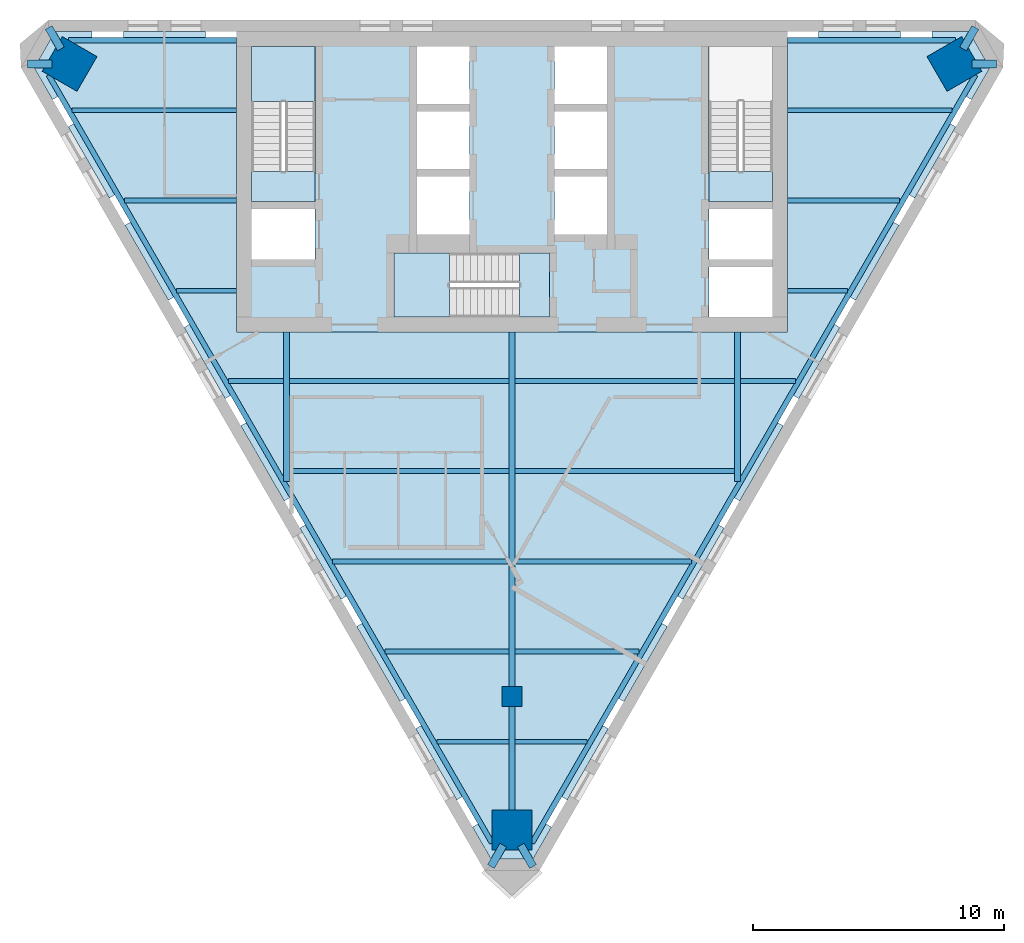
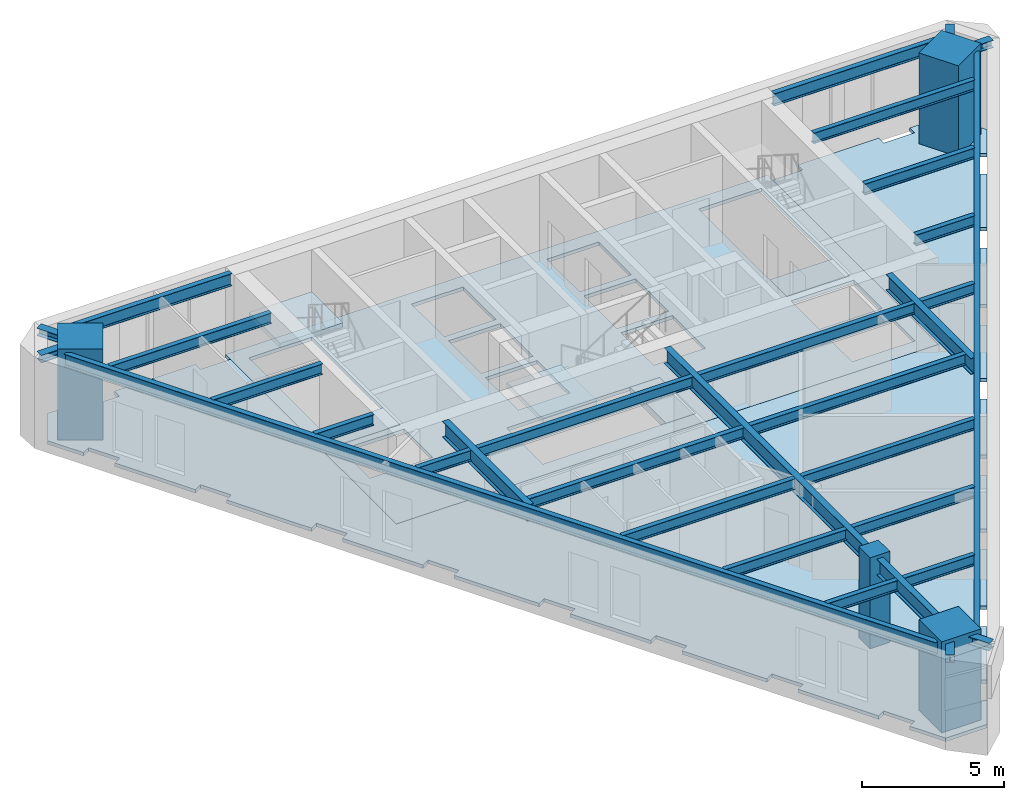
# One storey, part 1 of 6: 32 beams, 7 slabs, 4 columns, 2 elements without a shape of their own.
"""IFC4 building model written with IfcOpenShell, lengths in metres."""

from ifc_helpers import new_model, si_unit, direction, frame, origin, origin_2d, place, context, subcontext, project, spatial, polyline, rectangle, i_section, outline, extrude, material, layer, layer_set, material_profile, profile_set, type_object, element, aggregate, save


model = new_model("IFC4")

# Units and contexts
model_context = context("Model", 3, precision=1e-05, world=origin(), true_north=direction((0.0, 1.0)))
body_context = subcontext(model_context, "Body", "Model", "MODEL_VIEW")
ifc_project = project(units=[si_unit("LENGTHUNIT", "METRE"), si_unit("AREAUNIT", "SQUARE_METRE"), si_unit("VOLUMEUNIT", "CUBIC_METRE"), si_unit("PLANEANGLEUNIT", "RADIAN"), si_unit("MASSUNIT", "GRAM", prefix="KILO")], contexts=[model_context])

# Site, building, storey
site_placement = place(None, origin())
site = spatial("IfcSite", under=ifc_project, at=site_placement, CompositionType="ELEMENT")
building_placement = place(site_placement, origin())
building = spatial("IfcBuilding", under=site, at=building_placement, Name="Aloe Facet Convention Tower", CompositionType="ELEMENT")
storey_placement = place(building_placement, frame((0.0, 0.0, 266.0)))
storey = spatial("IfcBuildingStorey", under=building, at=storey_placement, Name="L65", CompositionType="ELEMENT", Elevation=266.0)

# Columns
ifc_material_1 = material(Name="Concrete C70/85", Category="concrete")
ifc_material_profile_1 = material_profile(ifc_material_1, rectangle(XDim=0.800048828125, YDim=0.800048828125, at=origin_2d()), Name="SF-GC-Z5")
ifc_profile_set_1 = profile_set([ifc_material_profile_1], Name="Concrete C70/85")
column_type_1 = type_object("IfcColumnType", Name="SF-GC-Z5", PredefinedType="COLUMN", material=ifc_profile_set_1)
column_placement = place(storey_placement, frame((80.0, 108.0, 0.0), z_axis=(0.0, 0.0, 1.0), x_axis=(1.0, 0.0, 0.0)))
element("IfcColumn", 1, at=column_placement, inside=storey, type_object=column_type_1, Name="Gravity column GC-Z5-9D", PredefinedType="COLUMN", context=body_context, shape_type="SweptSolid", body=[
    extrude(rectangle(XDim=0.800048828125, YDim=0.800048828125, at=origin_2d()), origin(), (0.0, 0.0, 1.0), 3.89990234375),
])
ifc_material_2 = material(Name="Concrete C80/95", Category="concrete")
ifc_material_profile_2 = material_profile(ifc_material_2, rectangle(XDim=1.60009765625, YDim=1.60009765625, at=origin_2d()), Name="STW-MC-Z5")
ifc_profile_set_2 = profile_set([ifc_material_profile_2], Name="Concrete C80/95")
column_type_2 = type_object("IfcColumnType", Name="STW-MC-Z5", PredefinedType="COLUMN", material=ifc_profile_set_2)
for number, where, z_axis, x_axis, name in (
    (2, (97.650634765625, 133.247314453125, 0.0), (0.0, 0.0, 1.0), (-0.5, 0.866025403784, 0.0), "Mega-column MC-NE-L65"),
    (3, (62.349365234375, 133.247314453125, 0.0), (0.0, 0.0, 1.0), (-0.5, -0.866025403784, 0.0), "Mega-column MC-NW-L65"),
    (4, (80.0, 102.67578125, 0.0), (0.0, 0.0, 1.0), (1.0, 0.0, 0.0), "Mega-column MC-S-L65"),
):
    element("IfcColumn", number, at=place(storey_placement, frame(where, z_axis=z_axis, x_axis=x_axis)), inside=storey, type_object=column_type_2, Name=name, PredefinedType="COLUMN", context=body_context, shape_type="SweptSolid", body=[
        extrude(rectangle(XDim=1.60009765625, YDim=1.60009765625, at=origin_2d()), origin(), (0.0, 0.0, 1.0), 3.89990234375),
    ])

# Beams
ifc_material_3 = material(Name="Steel S355", Category="steel")
ifc_material_profile_3 = material_profile(ifc_material_3, i_section(OverallWidth=0.19140625, OverallDepth=0.4599609375, WebThickness=0.010009765625, FlangeThickness=0.01611328125, FilletRadius=0.01025390625, at=origin_2d()), Name="UB 457x191x82")
ifc_profile_set_3 = profile_set([ifc_material_profile_3], Name="Steel S355")
beam_type_1 = type_object("IfcBeamType", Name="SF-B-UB457x191x82", PredefinedType="BEAM", material=ifc_profile_set_3)
beam_1_placement = place(storey_placement, frame((62.452392578125, 131.39990234375, 3.52001953125), z_axis=(1.0, 0.0, 0.0), x_axis=(0.0, 1.0, 0.0)))
element("IfcBeam", 5, at=beam_1_placement, inside=storey, type_object=beam_type_1, Name="Floor beam FB-Z5B-009", PredefinedType="BEAM", context=body_context, shape_type="SweptSolid", body=[
    extrude(i_section(OverallWidth=0.19140625, OverallDepth=0.4599609375, WebThickness=0.010009765625, FlangeThickness=0.01611328125, FilletRadius=0.01025390625, at=origin_2d()), origin(), (0.0, 0.0, 1.0), 6.547607421875),
])
beam_2_placement = place(storey_placement, frame((64.53076171875, 127.800048828125, 3.52001953125), z_axis=(1.0, 0.0, 0.0), x_axis=(0.0, 1.0, 0.0)))
element("IfcBeam", 6, at=beam_2_placement, inside=storey, type_object=beam_type_1, Name="Floor beam FB-Z5B-010", PredefinedType="BEAM", context=body_context, shape_type="SweptSolid", body=[
    extrude(i_section(OverallWidth=0.19140625, OverallDepth=0.4599609375, WebThickness=0.010009765625, FlangeThickness=0.01611328125, FilletRadius=0.01025390625, at=origin_2d()), origin(), (0.0, 0.0, 1.0), 4.46923828125),
])
beam_3_placement = place(storey_placement, frame((66.609130859375, 124.199951171875, 3.52001953125), z_axis=(1.0, 0.0, 0.0), x_axis=(0.0, 1.0, 0.0)))
element("IfcBeam", 7, at=beam_3_placement, inside=storey, type_object=beam_type_1, Name="Floor beam FB-Z5B-011", PredefinedType="BEAM", context=body_context, shape_type="SweptSolid", body=[
    extrude(i_section(OverallWidth=0.19140625, OverallDepth=0.4599609375, WebThickness=0.010009765625, FlangeThickness=0.01611328125, FilletRadius=0.01025390625, at=origin_2d()), origin(), (0.0, 0.0, 1.0), 2.390869140625),
])
beam_4_placement = place(storey_placement, frame((68.687744140625, 120.60009765625, 3.52001953125), z_axis=(1.0, 0.0, 0.0), x_axis=(0.0, 1.0, 0.0)))
element("IfcBeam", 8, at=beam_4_placement, inside=storey, type_object=beam_type_1, Name="Floor beam FB-Z5B-012", PredefinedType="BEAM", context=body_context, shape_type="SweptSolid", body=[
    extrude(i_section(OverallWidth=0.19140625, OverallDepth=0.4599609375, WebThickness=0.010009765625, FlangeThickness=0.01611328125, FilletRadius=0.01025390625, at=origin_2d()), origin(), (0.0, 0.0, 1.0), 2.185791015625),
])
for number, where, z_axis, x_axis, name in (
    (9, (71.12646484375, 117.0, 3.52001953125), (1.0, 0.0, 0.0), (0.0, 1.0, 0.0), "Floor beam FB-Z5B-013"),
    (10, (71.12646484375, 120.60009765625, 3.52001953125), (1.0, 0.0, 0.0), (0.0, 1.0, 0.0), "Floor beam FB-Z5B-014"),
):
    element("IfcBeam", number, at=place(storey_placement, frame(where, z_axis=z_axis, x_axis=x_axis)), inside=storey, type_object=beam_type_1, Name=name, PredefinedType="BEAM", context=body_context, shape_type="SweptSolid", body=[
        extrude(i_section(OverallWidth=0.19140625, OverallDepth=0.4599609375, WebThickness=0.010009765625, FlangeThickness=0.01611328125, FilletRadius=0.01025390625, at=origin_2d()), origin(), (0.0, 0.0, 1.0), 8.7470703125),
    ])
beam_5_placement = place(storey_placement, frame((72.844482421875, 113.39990234375, 3.52001953125), z_axis=(1.0, 0.0, 0.0), x_axis=(0.0, 1.0, 0.0)))
element("IfcBeam", 11, at=beam_5_placement, inside=storey, type_object=beam_type_1, Name="Floor beam FB-Z5B-015", PredefinedType="BEAM", context=body_context, shape_type="SweptSolid", body=[
    extrude(i_section(OverallWidth=0.19140625, OverallDepth=0.4599609375, WebThickness=0.010009765625, FlangeThickness=0.01611328125, FilletRadius=0.01025390625, at=origin_2d()), origin(), (0.0, 0.0, 1.0), 7.029052734375),
])
beam_6_placement = place(storey_placement, frame((74.923095703125, 109.800048828125, 3.52001953125), z_axis=(1.0, 0.0, 0.0), x_axis=(0.0, 1.0, 0.0)))
element("IfcBeam", 12, at=beam_6_placement, inside=storey, type_object=beam_type_1, Name="Floor beam FB-Z5B-016", PredefinedType="BEAM", context=body_context, shape_type="SweptSolid", body=[
    extrude(i_section(OverallWidth=0.19140625, OverallDepth=0.4599609375, WebThickness=0.010009765625, FlangeThickness=0.01611328125, FilletRadius=0.01025390625, at=origin_2d()), origin(), (0.0, 0.0, 1.0), 4.950439453125),
])
for number, where, z_axis, x_axis, name in (
    (13, (77.00146484375, 106.199951171875, 3.52001953125), (1.0, 0.0, 0.0), (0.0, 1.0, 0.0), "Floor beam FB-Z5B-017"),
    (14, (80.12646484375, 106.199951171875, 3.52001953125), (1.0, 0.0, 0.0), (0.0, 1.0, 0.0), "Floor beam FB-Z5B-018"),
):
    element("IfcBeam", number, at=place(storey_placement, frame(where, z_axis=z_axis, x_axis=x_axis)), inside=storey, type_object=beam_type_1, Name=name, PredefinedType="BEAM", context=body_context, shape_type="SweptSolid", body=[
        extrude(i_section(OverallWidth=0.19140625, OverallDepth=0.4599609375, WebThickness=0.010009765625, FlangeThickness=0.01611328125, FilletRadius=0.01025390625, at=origin_2d()), origin(), (0.0, 0.0, 1.0), 2.8720703125),
    ])
beam_7_placement = place(storey_placement, frame((80.12646484375, 109.800048828125, 3.52001953125), z_axis=(1.0, 0.0, 0.0), x_axis=(0.0, 1.0, 0.0)))
element("IfcBeam", 15, at=beam_7_placement, inside=storey, type_object=beam_type_1, Name="Floor beam FB-Z5B-019", PredefinedType="BEAM", context=body_context, shape_type="SweptSolid", body=[
    extrude(i_section(OverallWidth=0.19140625, OverallDepth=0.4599609375, WebThickness=0.010009765625, FlangeThickness=0.01611328125, FilletRadius=0.01025390625, at=origin_2d()), origin(), (0.0, 0.0, 1.0), 4.950439453125),
])
beam_8_placement = place(storey_placement, frame((80.12646484375, 113.39990234375, 3.52001953125), z_axis=(1.0, 0.0, 0.0), x_axis=(0.0, 1.0, 0.0)))
element("IfcBeam", 16, at=beam_8_placement, inside=storey, type_object=beam_type_1, Name="Floor beam FB-Z5B-020", PredefinedType="BEAM", context=body_context, shape_type="SweptSolid", body=[
    extrude(i_section(OverallWidth=0.19140625, OverallDepth=0.4599609375, WebThickness=0.010009765625, FlangeThickness=0.01611328125, FilletRadius=0.01025390625, at=origin_2d()), origin(), (0.0, 0.0, 1.0), 7.029052734375),
])
for number, where, z_axis, x_axis, name in (
    (17, (80.12646484375, 117.0, 3.52001953125), (1.0, 0.0, 0.0), (0.0, 1.0, 0.0), "Floor beam FB-Z5B-021"),
    (18, (80.12646484375, 120.60009765625, 3.52001953125), (1.0, 0.0, 0.0), (0.0, 1.0, 0.0), "Floor beam FB-Z5B-022"),
):
    element("IfcBeam", number, at=place(storey_placement, frame(where, z_axis=z_axis, x_axis=x_axis)), inside=storey, type_object=beam_type_1, Name=name, PredefinedType="BEAM", context=body_context, shape_type="SweptSolid", body=[
        extrude(i_section(OverallWidth=0.19140625, OverallDepth=0.4599609375, WebThickness=0.010009765625, FlangeThickness=0.01611328125, FilletRadius=0.01025390625, at=origin_2d()), origin(), (0.0, 0.0, 1.0), 8.7470703125),
    ])
beam_9_placement = place(storey_placement, frame((89.12646484375, 120.60009765625, 3.52001953125), z_axis=(1.0, 0.0, 0.0), x_axis=(0.0, 1.0, 0.0)))
element("IfcBeam", 19, at=beam_9_placement, inside=storey, type_object=beam_type_1, Name="Floor beam FB-Z5B-023", PredefinedType="BEAM", context=body_context, shape_type="SweptSolid", body=[
    extrude(i_section(OverallWidth=0.19140625, OverallDepth=0.4599609375, WebThickness=0.010009765625, FlangeThickness=0.01611328125, FilletRadius=0.01025390625, at=origin_2d()), origin(), (0.0, 0.0, 1.0), 2.185791015625),
])
beam_10_placement = place(storey_placement, frame((91.0, 124.199951171875, 3.52001953125), z_axis=(1.0, 0.0, 0.0), x_axis=(0.0, 1.0, 0.0)))
element("IfcBeam", 20, at=beam_10_placement, inside=storey, type_object=beam_type_1, Name="Floor beam FB-Z5B-024", PredefinedType="BEAM", context=body_context, shape_type="SweptSolid", body=[
    extrude(i_section(OverallWidth=0.19140625, OverallDepth=0.4599609375, WebThickness=0.010009765625, FlangeThickness=0.01611328125, FilletRadius=0.01025390625, at=origin_2d()), origin(), (0.0, 0.0, 1.0), 2.390869140625),
])
beam_11_placement = place(storey_placement, frame((91.0, 127.800048828125, 3.52001953125), z_axis=(1.0, 0.0, 0.0), x_axis=(0.0, 1.0, 0.0)))
element("IfcBeam", 21, at=beam_11_placement, inside=storey, type_object=beam_type_1, Name="Floor beam FB-Z5B-025", PredefinedType="BEAM", context=body_context, shape_type="SweptSolid", body=[
    extrude(i_section(OverallWidth=0.19140625, OverallDepth=0.4599609375, WebThickness=0.010009765625, FlangeThickness=0.01611328125, FilletRadius=0.01025390625, at=origin_2d()), origin(), (0.0, 0.0, 1.0), 4.46923828125),
])
beam_12_placement = place(storey_placement, frame((91.0, 131.39990234375, 3.52001953125), z_axis=(1.0, 0.0, 0.0), x_axis=(0.0, 1.0, 0.0)))
element("IfcBeam", 22, at=beam_12_placement, inside=storey, type_object=beam_type_1, Name="Floor beam FB-Z5B-026", PredefinedType="BEAM", context=body_context, shape_type="SweptSolid", body=[
    extrude(i_section(OverallWidth=0.19140625, OverallDepth=0.4599609375, WebThickness=0.010009765625, FlangeThickness=0.01611328125, FilletRadius=0.01025390625, at=origin_2d()), origin(), (0.0, 0.0, 1.0), 6.547607421875),
])
ifc_material_4 = material(Name="Steel S355", Category="steel")
ifc_material_profile_4 = material_profile(ifc_material_4, i_section(OverallWidth=0.209228515625, OverallDepth=0.533203125, WebThickness=0.010009765625, FlangeThickness=0.015625, FilletRadius=0.0126953125, at=origin_2d()), Name="UB 533x210x92")
ifc_profile_set_4 = profile_set([ifc_material_profile_4], Name="Steel S355")
beam_type_2 = type_object("IfcBeamType", Name="SF-B-UB533x210x92", PredefinedType="BEAM", material=ifc_profile_set_4)
beam_13_placement = place(storey_placement, frame((62.3076171875, 134.1953125, 3.4833984375), z_axis=(1.0, 0.0, 0.0), x_axis=(0.0, 1.0, 0.0)))
element("IfcBeam", 23, at=beam_13_placement, inside=storey, type_object=beam_type_2, Name="Floor beam FB-Z5B-001", PredefinedType="BEAM", context=body_context, shape_type="SweptSolid", body=[
    extrude(i_section(OverallWidth=0.209228515625, OverallDepth=0.533203125, WebThickness=0.010009765625, FlangeThickness=0.015625, FilletRadius=0.0126953125, at=origin_2d()), origin(), (0.0, 0.0, 1.0), 6.6923828125),
])
beam_14_placement = place(storey_placement, frame((79.199951171875, 102.16552734375, 3.4833984375), z_axis=(-0.499997782969, 0.866026683784, 0.0), x_axis=(-0.866026683784, -0.499997782969, 0.0)))
element("IfcBeam", 24, at=beam_14_placement, inside=storey, type_object=beam_type_2, Name="Floor beam FB-Z5B-002", PredefinedType="BEAM", context=body_context, shape_type="SweptSolid", body=[
    extrude(i_section(OverallWidth=0.209228515625, OverallDepth=0.533203125, WebThickness=0.010009765625, FlangeThickness=0.015625, FilletRadius=0.0126953125, at=origin_2d()), origin(), (0.0, 0.0, 1.0), 35.385009765625),
])
beam_15_placement = place(storey_placement, frame((91.0, 134.1953125, 3.4833984375), z_axis=(1.0, 0.0, 0.0), x_axis=(0.0, 1.0, 0.0)))
element("IfcBeam", 25, at=beam_15_placement, inside=storey, type_object=beam_type_2, Name="Floor beam FB-Z5B-003", PredefinedType="BEAM", context=body_context, shape_type="SweptSolid", body=[
    extrude(i_section(OverallWidth=0.209228515625, OverallDepth=0.533203125, WebThickness=0.010009765625, FlangeThickness=0.015625, FilletRadius=0.0126953125, at=origin_2d()), origin(), (0.0, 0.0, 1.0), 6.6923828125),
])
beam_16_placement = place(storey_placement, frame((98.492431640625, 132.809814453125, 3.4833984375), z_axis=(-0.499997782969, -0.866026683784, 0.0), x_axis=(0.866026683784, -0.499997782969, 0.0)))
element("IfcBeam", 26, at=beam_16_placement, inside=storey, type_object=beam_type_2, Name="Floor beam FB-Z5B-004", PredefinedType="BEAM", context=body_context, shape_type="SweptSolid", body=[
    extrude(i_section(OverallWidth=0.209228515625, OverallDepth=0.533203125, WebThickness=0.010009765625, FlangeThickness=0.015625, FilletRadius=0.0126953125, at=origin_2d()), origin(), (0.0, 0.0, 1.0), 35.385009765625),
])
ifc_material_5 = material(Name="Steel S355", Category="steel")
ifc_material_profile_5 = material_profile(ifc_material_5, i_section(OverallWidth=0.2529296875, OverallDepth=0.677978515625, WebThickness=0.01171875, FlangeThickness=0.01611328125, FilletRadius=0.01513671875, at=origin_2d()), Name="UB 686x254x125")
ifc_profile_set_5 = profile_set([ifc_material_profile_5], Name="Steel S355")
beam_type_3 = type_object("IfcBeamType", Name="SF-B-UB686x254x125", PredefinedType="BEAM", material=ifc_profile_set_5)
beam_17_placement = place(storey_placement, frame((71.0, 122.550048828125, 3.410888671875), z_axis=(0.0, -1.0, 0.0), x_axis=(1.0, 0.0, 0.0)))
element("IfcBeam", 27, at=beam_17_placement, inside=storey, type_object=beam_type_3, Name="Floor beam FB-Z5B-005", PredefinedType="BEAM", context=body_context, shape_type="SweptSolid", body=[
    extrude(i_section(OverallWidth=0.2529296875, OverallDepth=0.677978515625, WebThickness=0.01171875, FlangeThickness=0.01611328125, FilletRadius=0.01513671875, at=origin_2d()), origin(), (0.0, 0.0, 1.0), 5.96240234375),
])
beam_18_placement = place(storey_placement, frame((80.0, 107.60009765625, 3.410888671875), z_axis=(0.0, -1.0, 0.0), x_axis=(1.0, 0.0, 0.0)))
element("IfcBeam", 28, at=beam_18_placement, inside=storey, type_object=beam_type_3, Name="Floor beam FB-Z5B-006", PredefinedType="BEAM", context=body_context, shape_type="SweptSolid", body=[
    extrude(i_section(OverallWidth=0.2529296875, OverallDepth=0.677978515625, WebThickness=0.01171875, FlangeThickness=0.01611328125, FilletRadius=0.01513671875, at=origin_2d()), origin(), (0.0, 0.0, 1.0), 5.60498046875),
])
beam_19_placement = place(storey_placement, frame((80.0, 122.550048828125, 3.410888671875), z_axis=(0.0, -1.0, 0.0), x_axis=(1.0, 0.0, 0.0)))
element("IfcBeam", 29, at=beam_19_placement, inside=storey, type_object=beam_type_3, Name="Floor beam FB-Z5B-007", PredefinedType="BEAM", context=body_context, shape_type="SweptSolid", body=[
    extrude(i_section(OverallWidth=0.2529296875, OverallDepth=0.677978515625, WebThickness=0.01171875, FlangeThickness=0.01611328125, FilletRadius=0.01513671875, at=origin_2d()), origin(), (0.0, 0.0, 1.0), 14.150146484375),
])
beam_20_placement = place(storey_placement, frame((89.0, 122.550048828125, 3.410888671875), z_axis=(0.0, -1.0, 0.0), x_axis=(1.0, 0.0, 0.0)))
element("IfcBeam", 30, at=beam_20_placement, inside=storey, type_object=beam_type_3, Name="Floor beam FB-Z5B-008", PredefinedType="BEAM", context=body_context, shape_type="SweptSolid", body=[
    extrude(i_section(OverallWidth=0.2529296875, OverallDepth=0.677978515625, WebThickness=0.01171875, FlangeThickness=0.01611328125, FilletRadius=0.01513671875, at=origin_2d()), origin(), (0.0, 0.0, 1.0), 5.96240234375),
])
ifc_material_6 = material(Name="Steel S355", Category="steel")
ifc_material_profile_6 = material_profile(ifc_material_6, i_section(OverallWidth=0.311279296875, OverallDepth=0.3271484375, WebThickness=0.015869140625, FlangeThickness=0.02490234375, FilletRadius=0.01513671875, at=origin_2d()), Name="UC 305x305x158")
ifc_profile_set_6 = profile_set([ifc_material_profile_6], Name="Steel S355")
beam_type_4 = type_object("IfcBeamType", Name="STW-NT", PredefinedType="BEAM", material=ifc_profile_set_6)
for number, where, z_axis, x_axis, name in (
    (31, (98.486083984375, 134.699951171875, 3.58642578125), (-0.498545832362, -0.866863341614, 0.0), (0.866863341614, -0.498545832362, 0.0), "Lattice tie NT-Z5-F1-R4-01"),
    (32, (61.513916015625, 134.699951171875, 3.58642578125), (0.498545832362, -0.866863341614, 0.0), (0.866863341614, 0.498545832362, 0.0), "Lattice tie NT-Z5-F1-R4-05"),
    (33, (60.673583984375, 133.24462890625, 3.58642578125), (0.999998486964, 0.001739559992, 0.0), (-0.001739559992, 0.999998486964, 0.0), "Lattice tie NT-Z5-F2-R4-01"),
):
    element("IfcBeam", number, at=place(storey_placement, frame(where, z_axis=z_axis, x_axis=x_axis)), inside=storey, type_object=beam_type_4, Name=name, PredefinedType="BEAM", context=body_context, shape_type="SweptSolid", body=[
        extrude(i_section(OverallWidth=0.311279296875, OverallDepth=0.3271484375, WebThickness=0.015869140625, FlangeThickness=0.02490234375, FilletRadius=0.01513671875, at=origin_2d()), origin(), (0.0, 0.0, 1.0), 0.982421875),
    ])
for number, where, z_axis, x_axis, name in (
    (34, (79.159912109375, 101.225830078125, 3.58642578125), (0.501349776587, 0.865244706147, 0.0), (-0.865244706147, 0.501349776587, 0.0), "Lattice tie NT-Z5-F2-R4-05"),
    (35, (80.840087890625, 101.225830078125, 3.58642578125), (-0.501349776587, 0.865244706147, 0.0), (-0.865244706147, -0.501349776587, 0.0), "Lattice tie NT-Z5-F3-R4-01"),
):
    element("IfcBeam", number, at=place(storey_placement, frame(where, z_axis=z_axis, x_axis=x_axis)), inside=storey, type_object=beam_type_4, Name=name, PredefinedType="BEAM", context=body_context, shape_type="SweptSolid", body=[
        extrude(i_section(OverallWidth=0.311279296875, OverallDepth=0.3271484375, WebThickness=0.015869140625, FlangeThickness=0.02490234375, FilletRadius=0.01513671875, at=origin_2d()), origin(), (0.0, 0.0, 1.0), 0.982177734375),
    ])
beam_21_placement = place(storey_placement, frame((99.326416015625, 133.24462890625, 3.58642578125), z_axis=(-0.999998486964, 0.001739559992, 0.0), x_axis=(-0.001739559992, -0.999998486964, 0.0)))
element("IfcBeam", 36, at=beam_21_placement, inside=storey, type_object=beam_type_4, Name="Lattice tie NT-Z5-F3-R4-05", PredefinedType="BEAM", context=body_context, shape_type="SweptSolid", body=[
    extrude(i_section(OverallWidth=0.311279296875, OverallDepth=0.3271484375, WebThickness=0.015869140625, FlangeThickness=0.02490234375, FilletRadius=0.01513671875, at=origin_2d()), origin(), (0.0, 0.0, 1.0), 0.982421875),
])

# Slabs
ifc_material_7 = material(Name="Concrete C50/60", Category="concrete")
ifc_layer_1 = layer(ifc_material_7, 0.14990234375)
ifc_layer_set_1 = layer_set([ifc_layer_1], Name="CR-S-FLOOR150-C5060")
slab_type_1 = type_object("IfcSlabType", Name="CR-S-FLOOR150-C5060", PredefinedType="FLOOR", material=ifc_layer_set_1)
slab_1_placement = place(storey_placement, frame((0.0, 0.0, -0.14990234375)))
element("IfcSlab", 37, at=slab_1_placement, inside=storey, type_object=slab_type_1, Name="Core floor L65", PredefinedType="FLOOR", context=body_context, shape_type="SweptSolid", body=[
    extrude(outline(polyline([(71.85009765625, 134.550048828125), (72.75, 134.550048828125), (75.60009765625, 134.550048828125), (76.5, 134.550048828125), (78.0, 134.550048828125), (78.89990234375, 134.550048828125), (81.10009765625, 134.550048828125), (82.0, 134.550048828125), (83.5, 134.550048828125), (84.39990234375, 134.550048828125), (87.25, 134.550048828125), (88.14990234375, 134.550048828125), (91.0, 134.550048828125), (91.0, 128.050048828125), (91.0, 127.14990234375), (91.0, 125.75), (91.0, 124.85009765625), (91.0, 122.550048828125), (88.14990234375, 122.550048828125), (87.25, 122.550048828125), (85.300048828125, 122.550048828125), (84.39990234375, 122.550048828125), (82.10009765625, 122.550048828125), (81.199951171875, 122.550048828125), (75.60009765625, 122.550048828125), (74.699951171875, 122.550048828125), (72.75, 122.550048828125), (71.85009765625, 122.550048828125), (69.0, 122.550048828125), (69.0, 124.85009765625), (69.0, 125.75), (69.0, 127.14990234375), (69.0, 128.050048828125), (69.0, 134.550048828125), (71.85009765625, 134.550048828125)]), holes=[polyline([(80.298828125, 123.14990234375), (81.5, 123.14990234375), (81.5, 125.699951171875), (80.298828125, 125.699951171875), (75.300048828125, 125.699951171875), (75.300048828125, 123.14990234375), (80.298828125, 123.14990234375)]), polyline([(69.60009765625, 125.449951171875), (72.14990234375, 125.449951171875), (72.14990234375, 127.449951171875), (69.60009765625, 127.449951171875), (69.60009765625, 125.449951171875)]), polyline([(76.199951171875, 126.449951171875), (78.300048828125, 126.449951171875), (78.300048828125, 128.75), (76.199951171875, 128.75), (76.199951171875, 126.449951171875)]), polyline([(78.300048828125, 129.050048828125), (78.300048828125, 131.35009765625), (76.199951171875, 131.35009765625), (76.199951171875, 129.050048828125), (78.300048828125, 129.050048828125)]), polyline([(69.60009765625, 133.949951171875), (69.60009765625, 128.951171875), (69.60009765625, 127.75), (72.14990234375, 127.75), (72.14990234375, 128.951171875), (72.14990234375, 133.949951171875), (69.60009765625, 133.949951171875)]), polyline([(76.199951171875, 131.64990234375), (78.300048828125, 131.64990234375), (78.300048828125, 133.949951171875), (76.199951171875, 133.949951171875), (76.199951171875, 131.64990234375)]), polyline([(90.39990234375, 123.14990234375), (90.39990234375, 125.14990234375), (87.85009765625, 125.14990234375), (87.85009765625, 123.14990234375), (90.39990234375, 123.14990234375)]), polyline([(87.85009765625, 125.449951171875), (90.39990234375, 125.449951171875), (90.39990234375, 127.449951171875), (87.85009765625, 127.449951171875), (87.85009765625, 125.449951171875)]), polyline([(81.699951171875, 126.449951171875), (83.800048828125, 126.449951171875), (83.800048828125, 128.75), (81.699951171875, 128.75), (81.699951171875, 126.449951171875)]), polyline([(83.800048828125, 129.050048828125), (83.800048828125, 131.35009765625), (81.699951171875, 131.35009765625), (81.699951171875, 129.050048828125), (83.800048828125, 129.050048828125)]), polyline([(87.85009765625, 133.949951171875), (87.85009765625, 128.951171875), (87.85009765625, 127.75), (90.39990234375, 127.75), (90.39990234375, 128.951171875), (90.39990234375, 133.949951171875), (87.85009765625, 133.949951171875)]), polyline([(81.699951171875, 131.64990234375), (83.800048828125, 131.64990234375), (83.800048828125, 133.949951171875), (81.699951171875, 133.949951171875), (81.699951171875, 131.64990234375)])]), origin(), (0.0, 0.0, 1.0), 0.14990234375),
])
ifc_material_8 = material(Name="Concrete C50/60", Category="concrete")
ifc_layer_2 = layer(ifc_material_8, 0.300048828125)
ifc_layer_set_2 = layer_set([ifc_layer_2], Name="CR-S-FLOOR300-C5060")
slab_type_2 = type_object("IfcSlabType", Name="CR-S-FLOOR300-C5060", PredefinedType="FLOOR", material=ifc_layer_set_2)
slab_2_placement = place(storey_placement, frame((0.0, 0.0, -0.300048828125)))
element("IfcSlab", 38, at=slab_2_placement, inside=storey, type_object=slab_type_2, Name="Stair landing floor L65", PredefinedType="FLOOR", context=body_context, shape_type="SweptSolid", body=[
    extrude(outline(polyline([(72.14990234375, 127.75), (72.14990234375, 128.951171875), (69.60009765625, 128.951171875), (69.60009765625, 127.75), (72.14990234375, 127.75)])), origin(), (0.0, 0.0, 1.0), 0.300048828125),
])
slab_3_placement = place(storey_placement, frame((0.0, 0.0, -0.300048828125)))
element("IfcSlab", 39, at=slab_3_placement, inside=storey, type_object=slab_type_2, Name="Stair landing floor L65", PredefinedType="FLOOR", context=body_context, shape_type="SweptSolid", body=[
    extrude(outline(polyline([(90.39990234375, 127.75), (90.39990234375, 128.951171875), (87.85009765625, 128.951171875), (87.85009765625, 127.75), (90.39990234375, 127.75)])), origin(), (0.0, 0.0, 1.0), 0.300048828125),
])
slab_4_placement = place(storey_placement, frame((0.0, 0.0, -0.300048828125)))
element("IfcSlab", 40, at=slab_4_placement, inside=storey, type_object=slab_type_2, Name="Stair landing floor L65", PredefinedType="FLOOR", context=body_context, shape_type="SweptSolid", body=[
    extrude(outline(polyline([(81.5, 125.699951171875), (80.298828125, 125.699951171875), (80.298828125, 123.14990234375), (81.5, 123.14990234375), (81.5, 125.699951171875)])), origin(), (0.0, 0.0, 1.0), 0.300048828125),
])

# Stair, slab
ifc_material_9 = material(Name="Concrete C50/60", Category="concrete")
stair_type = type_object("IfcStairType", Name="CR-ST-22R", PredefinedType="HALF_TURN_STAIR", material=ifc_material_9)
stair_1_placement = place(storey_placement, origin())
stair_1 = element("IfcStair", 41, at=stair_1_placement, inside=storey, type_object=stair_type, Name="L65 Protected exit stair ST1", PredefinedType="HALF_TURN_STAIR")
ifc_material_10 = material(Name="Concrete C50/60", Category="concrete")
ifc_layer_3 = layer(ifc_material_10, 0.199951171875)
ifc_layer_set_3 = layer_set([ifc_layer_3], Name="CR-SL-LANDING")
slab_type_3 = type_object("IfcSlabType", Name="CR-SL-LANDING", PredefinedType="LANDING", material=ifc_layer_set_3)
slab_5_placement = place(storey_placement, frame((0.0, 0.0, 1.75)))
slab_5 = element("IfcSlab", 42, at=slab_5_placement, type_object=slab_type_3, Name="ST1 landing 1", PredefinedType="LANDING", context=body_context, shape_type="SweptSolid", body=[
    extrude(outline(polyline([(72.14990234375, 131.75), (72.14990234375, 133.949951171875), (69.60009765625, 133.949951171875), (69.60009765625, 131.75), (72.14990234375, 131.75)])), origin(), (0.0, 0.0, 1.0), 0.199951171875),
])
aggregate(stair_1, [slab_5])

stair_2_placement = place(storey_placement, origin())
stair_2 = element("IfcStair", 43, at=stair_2_placement, inside=storey, type_object=stair_type, Name="L65 Protected exit stair ST3", PredefinedType="HALF_TURN_STAIR")
slab_6_placement = place(storey_placement, frame((0.0, 0.0, 1.75)))
slab_6 = element("IfcSlab", 44, at=slab_6_placement, type_object=slab_type_3, Name="ST3 landing 1", PredefinedType="LANDING", context=body_context, shape_type="SweptSolid", body=[
    extrude(outline(polyline([(77.5, 125.699951171875), (75.300048828125, 125.699951171875), (75.300048828125, 123.14990234375), (77.5, 123.14990234375), (77.5, 125.699951171875)])), origin(), (0.0, 0.0, 1.0), 0.199951171875),
])
aggregate(stair_2, [slab_6])

# Slab
ifc_material_11 = material(Name="Concrete C35/45", Category="concrete")
ifc_layer_4 = layer(ifc_material_11, 0.14990234375)
ifc_layer_set_4 = layer_set([ifc_layer_4], Name="SF-FS-150")
slab_type_4 = type_object("IfcSlabType", Name="SF-FS-150", PredefinedType="FLOOR", material=ifc_layer_set_4)
slab_7_placement = place(storey_placement, frame((0.0, 0.0, -0.14990234375)))
element("IfcSlab", 45, at=slab_7_placement, inside=storey, type_object=slab_type_4, Name="Floor slab L65-1", PredefinedType="FLOOR", context=body_context, shape_type="SweptSolid", body=[
    extrude(outline(polyline([(99.06640625, 133.0947265625), (98.33154296875, 131.822021484375), (98.028564453125, 131.996826171875), (97.40283203125, 130.913330078125), (97.7060546875, 130.73828125), (96.065185546875, 127.896484375), (95.76220703125, 128.071533203125), (95.13671875, 126.98779296875), (95.439697265625, 126.81298828125), (93.710205078125, 123.817138671875), (93.406982421875, 123.9921875), (92.781494140625, 122.908447265625), (93.08447265625, 122.7333984375), (91.44384765625, 119.8916015625), (91.140625, 120.066650390625), (90.51513671875, 118.983154296875), (90.818115234375, 118.80810546875), (89.088623046875, 115.8125), (88.785400390625, 115.9873046875), (88.159912109375, 114.90380859375), (88.462890625, 114.728759765625), (86.822265625, 111.886962890625), (86.51904296875, 112.06201171875), (85.8935546875, 110.978515625), (86.196533203125, 110.803466796875), (84.467041015625, 107.8076171875), (84.163818359375, 107.982666015625), (83.538330078125, 106.899169921875), (83.84130859375, 106.72412109375), (82.20068359375, 103.882080078125), (81.897705078125, 104.05712890625), (81.27197265625, 102.9736328125), (81.5751953125, 102.798583984375), (80.840087890625, 101.52587890625), (79.159912109375, 101.52587890625), (78.4248046875, 102.798583984375), (78.72802734375, 102.9736328125), (78.102294921875, 104.05712890625), (77.79931640625, 103.882080078125), (76.15869140625, 106.72412109375), (76.461669921875, 106.899169921875), (75.836181640625, 107.982666015625), (75.532958984375, 107.8076171875), (73.803466796875, 110.803466796875), (74.1064453125, 110.978515625), (73.48095703125, 112.06201171875), (73.177734375, 111.886962890625), (71.537109375, 114.728759765625), (71.840087890625, 114.90380859375), (71.214599609375, 115.9873046875), (70.911376953125, 115.8125), (69.181884765625, 118.80810546875), (69.48486328125, 118.983154296875), (68.859375, 120.066650390625), (68.55615234375, 119.8916015625), (66.91552734375, 122.7333984375), (67.218505859375, 122.908447265625), (66.593017578125, 123.9921875), (66.289794921875, 123.817138671875), (64.560302734375, 126.81298828125), (64.86328125, 126.98779296875), (64.23779296875, 128.071533203125), (63.934814453125, 127.896484375), (62.2939453125, 130.73828125), (62.59716796875, 130.913330078125), (61.971435546875, 131.996826171875), (61.66845703125, 131.822021484375), (60.93359375, 133.0947265625), (61.773681640625, 134.550048828125), (63.243408203125, 134.550048828125), (63.243408203125, 134.199951171875), (64.49462890625, 134.199951171875), (64.49462890625, 134.550048828125), (67.776123046875, 134.550048828125), (67.776123046875, 134.199951171875), (69.0, 134.199951171875), (69.0, 128.050048828125), (69.0, 127.14990234375), (69.0, 125.75), (69.0, 124.85009765625), (69.0, 122.550048828125), (71.85009765625, 122.550048828125), (72.75, 122.550048828125), (74.699951171875, 122.550048828125), (75.60009765625, 122.550048828125), (81.199951171875, 122.550048828125), (82.10009765625, 122.550048828125), (84.39990234375, 122.550048828125), (85.300048828125, 122.550048828125), (87.25, 122.550048828125), (88.14990234375, 122.550048828125), (91.0, 122.550048828125), (91.0, 124.85009765625), (91.0, 125.75), (91.0, 127.14990234375), (91.0, 128.050048828125), (91.0, 134.199951171875), (92.223876953125, 134.199951171875), (92.223876953125, 134.550048828125), (95.50537109375, 134.550048828125), (95.50537109375, 134.199951171875), (96.756591796875, 134.199951171875), (96.756591796875, 134.550048828125), (98.226318359375, 134.550048828125), (99.06640625, 133.0947265625)]), holes=[polyline([(80.800048828125, 101.875732421875), (80.800048828125, 103.475830078125), (79.199951171875, 103.475830078125), (79.199951171875, 101.875732421875), (80.800048828125, 101.875732421875)]), polyline([(62.056640625, 134.340087890625), (61.256591796875, 132.95458984375), (62.642333984375, 132.154541015625), (63.4423828125, 133.540283203125), (62.056640625, 134.340087890625)]), polyline([(80.39990234375, 107.60009765625), (80.39990234375, 108.39990234375), (79.60009765625, 108.39990234375), (79.60009765625, 107.60009765625), (80.39990234375, 107.60009765625)]), polyline([(98.743408203125, 132.95458984375), (97.943359375, 134.340087890625), (96.5576171875, 133.540283203125), (97.357666015625, 132.154541015625), (98.743408203125, 132.95458984375)])]), origin(), (0.0, 0.0, 1.0), 0.14990234375),
])

save(model, "model.ifc")
